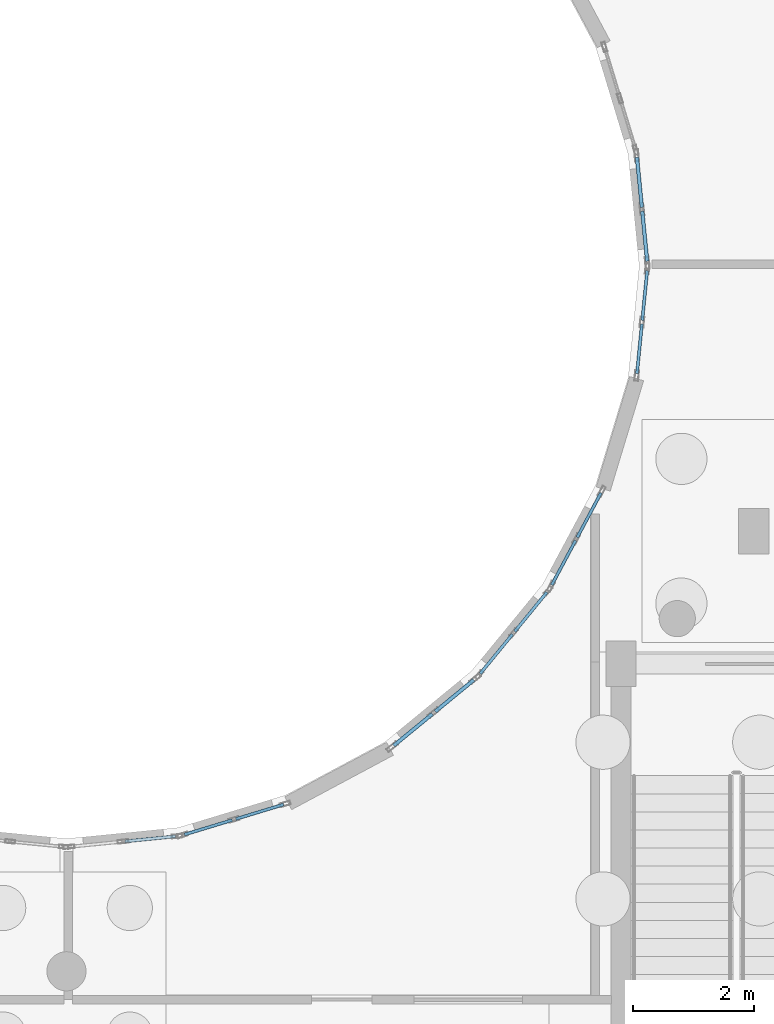
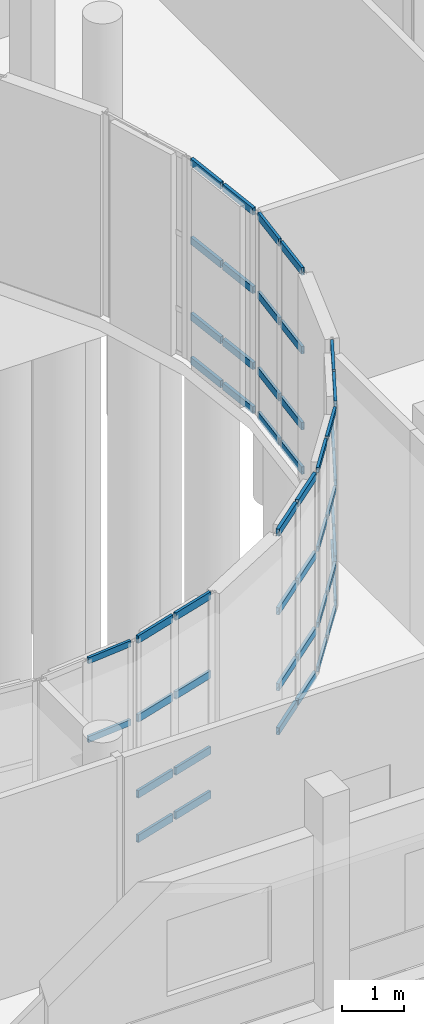
# One storey, part 43 of 93: 50 members, 7 elements without a shape of their own.
"""IFC4 building model written with IfcOpenShell, lengths in metres."""

from ifc_helpers import new_model, si_unit, direction, frame, origin, origin_2d, place, context, subcontext, project, spatial, hollow_rectangle, extrude, material, layer, layer_set, material_profile, profile_set, type_object, element, aggregate, save


model = new_model("IFC4")

# Units and contexts
model_context = context("Model", 3, precision=1e-05, world=origin(), true_north=direction((0.0, 1.0)))
body_context = subcontext(model_context, "Body", "Model", "MODEL_VIEW")
ifc_project = project(units=[si_unit("LENGTHUNIT", "METRE"), si_unit("AREAUNIT", "SQUARE_METRE"), si_unit("VOLUMEUNIT", "CUBIC_METRE"), si_unit("PLANEANGLEUNIT", "RADIAN"), si_unit("MASSUNIT", "GRAM", prefix="KILO")], contexts=[model_context])

# Site, building, storey
site_placement = place(None, origin())
site = spatial("IfcSite", under=ifc_project, at=site_placement, CompositionType="ELEMENT")
building_placement = place(site_placement, origin())
building = spatial("IfcBuilding", under=site, at=building_placement, Name="Kelanivale Promenade Academy", CompositionType="ELEMENT")
storey_placement = place(building_placement, origin())
storey = spatial("IfcBuildingStorey", under=building, at=storey_placement, Name="L00", CompositionType="ELEMENT", Elevation=0.0)

# Curtain wall, members
ifc_material_1 = material(Name="Bronze anodised aluminium and solar-control low-E glass", Category="aluminium")
ifc_layer_1 = layer(ifc_material_1, 0.159912109375)
ifc_layer_set_1 = layer_set([ifc_layer_1], Name="Bronze anodised aluminium and solar-control low-E glass")
curtain_wall_type_1 = type_object("IfcCurtainWallType", Name="CW-21 Curtain Wall 1650mm Module", PredefinedType="USERDEFINED", material=ifc_layer_set_1)
curtain_wall_1_placement = place(storey_placement, origin())
curtain_wall_1 = element("IfcCurtainWall", 1, at=curtain_wall_1_placement, inside=storey, type_object=curtain_wall_type_1, Name="L00 courtyard curtain wall CW-21", ObjectType="COURTYARD SCREEN GLAZING", PredefinedType="USERDEFINED")
ifc_material_2 = material(Name="Bronze anodised aluminium EN AW-6063 T6", Category="aluminium")
ifc_material_profile_1 = material_profile(ifc_material_2, hollow_rectangle(XDim=0.050048828125, YDim=0.10009765625, WallThickness=0.0029296875, at=origin_2d()), Name="ALU 50x100x3.0")
ifc_profile_set_1 = profile_set([ifc_material_profile_1], Name="Bronze anodised aluminium EN AW-6063 T6")
member_type_1 = type_object("IfcMemberType", Name="CWT-01 ALU 50x100x3.0", PredefinedType="USERDEFINED", material=ifc_profile_set_1)
member_1_placement = place(storey_placement, frame((105.6640625, 50.039306640625, 0.02490234375), z_axis=(0.634169827677, 0.773193785324, 0.0), x_axis=(-0.773193785324, 0.634169827677, 0.0)))
member_1 = element("IfcMember", 2, at=member_1_placement, type_object=member_type_1, Name="CW-21 transom 1.1", ObjectType="TRANSOM", PredefinedType="USERDEFINED", context=body_context, shape_type="SweptSolid", body=[
    extrude(hollow_rectangle(XDim=0.050048828125, YDim=0.10009765625, WallThickness=0.0029296875, at=origin_2d()), origin(), (0.0, 0.0, 1.0), 0.841064453125),
])
member_2_placement = place(storey_placement, frame((105.6640625, 50.039306640625, 0.89990234375), z_axis=(0.634169827677, 0.773193785324, 0.0), x_axis=(-0.773193785324, 0.634169827677, 0.0)))
member_2 = element("IfcMember", 3, at=member_2_placement, type_object=member_type_1, Name="CW-21 transom 1.2", ObjectType="TRANSOM", PredefinedType="USERDEFINED", context=body_context, shape_type="SweptSolid", body=[
    extrude(hollow_rectangle(XDim=0.050048828125, YDim=0.10009765625, WallThickness=0.0029296875, at=origin_2d()), origin(), (0.0, 0.0, 1.0), 0.841064453125),
])
member_3_placement = place(storey_placement, frame((105.6640625, 50.039306640625, 2.39990234375), z_axis=(0.634169827677, 0.773193785324, 0.0), x_axis=(-0.773193785324, 0.634169827677, 0.0)))
member_3 = element("IfcMember", 4, at=member_3_placement, type_object=member_type_1, Name="CW-21 transom 1.3", ObjectType="TRANSOM", PredefinedType="USERDEFINED", context=body_context, shape_type="SweptSolid", body=[
    extrude(hollow_rectangle(XDim=0.050048828125, YDim=0.10009765625, WallThickness=0.0029296875, at=origin_2d()), origin(), (0.0, 0.0, 1.0), 0.841064453125),
])
member_4_placement = place(storey_placement, frame((105.6640625, 50.039306640625, 3.955078125), z_axis=(0.634169827677, 0.773193785324, 0.0), x_axis=(-0.773193785324, 0.634169827677, 0.0)))
member_4 = element("IfcMember", 5, at=member_4_placement, type_object=member_type_1, Name="CW-21 transom 1.4", ObjectType="TRANSOM", PredefinedType="USERDEFINED", context=body_context, shape_type="SweptSolid", body=[
    extrude(hollow_rectangle(XDim=0.050048828125, YDim=0.10009765625, WallThickness=0.0029296875, at=origin_2d()), origin(), (0.0, 0.0, 1.0), 0.841064453125),
])
member_5_placement = place(storey_placement, frame((106.235595703125, 50.736083984375, 0.02490234375), z_axis=(0.634027534728, 0.773310471419, 0.0), x_axis=(-0.773310471419, 0.634027534728, 0.0)))
member_5 = element("IfcMember", 6, at=member_5_placement, type_object=member_type_1, Name="CW-21 transom 2.1", ObjectType="TRANSOM", PredefinedType="USERDEFINED", context=body_context, shape_type="SweptSolid", body=[
    extrude(hollow_rectangle(XDim=0.050048828125, YDim=0.10009765625, WallThickness=0.0029296875, at=origin_2d()), origin(), (0.0, 0.0, 1.0), 0.84130859375),
])
member_6_placement = place(storey_placement, frame((106.235595703125, 50.736083984375, 0.89990234375), z_axis=(0.634027534728, 0.773310471419, 0.0), x_axis=(-0.773310471419, 0.634027534728, 0.0)))
member_6 = element("IfcMember", 7, at=member_6_placement, type_object=member_type_1, Name="CW-21 transom 2.2", ObjectType="TRANSOM", PredefinedType="USERDEFINED", context=body_context, shape_type="SweptSolid", body=[
    extrude(hollow_rectangle(XDim=0.050048828125, YDim=0.10009765625, WallThickness=0.0029296875, at=origin_2d()), origin(), (0.0, 0.0, 1.0), 0.84130859375),
])
member_7_placement = place(storey_placement, frame((106.235595703125, 50.736083984375, 2.39990234375), z_axis=(0.634027534728, 0.773310471419, 0.0), x_axis=(-0.773310471419, 0.634027534728, 0.0)))
member_7 = element("IfcMember", 8, at=member_7_placement, type_object=member_type_1, Name="CW-21 transom 2.3", ObjectType="TRANSOM", PredefinedType="USERDEFINED", context=body_context, shape_type="SweptSolid", body=[
    extrude(hollow_rectangle(XDim=0.050048828125, YDim=0.10009765625, WallThickness=0.0029296875, at=origin_2d()), origin(), (0.0, 0.0, 1.0), 0.84130859375),
])
member_8_placement = place(storey_placement, frame((106.235595703125, 50.736083984375, 3.955078125), z_axis=(0.634027534728, 0.773310471419, 0.0), x_axis=(-0.773310471419, 0.634027534728, 0.0)))
member_8 = element("IfcMember", 9, at=member_8_placement, type_object=member_type_1, Name="CW-21 transom 2.4", ObjectType="TRANSOM", PredefinedType="USERDEFINED", context=body_context, shape_type="SweptSolid", body=[
    extrude(hollow_rectangle(XDim=0.050048828125, YDim=0.10009765625, WallThickness=0.0029296875, at=origin_2d()), origin(), (0.0, 0.0, 1.0), 0.84130859375),
])
aggregate(curtain_wall_1, [member_1, member_2, member_3, member_4, member_5, member_6, member_7, member_8])

ifc_layer_2 = layer(ifc_material_1, 0.159912109375)
ifc_layer_set_2 = layer_set([ifc_layer_2], Name="Bronze anodised aluminium and solar-control low-E glass")
curtain_wall_type_2 = type_object("IfcCurtainWallType", Name="CW-18 Curtain Wall 1200mm Module", PredefinedType="USERDEFINED", material=ifc_layer_set_2)
curtain_wall_2_placement = place(storey_placement, origin())
curtain_wall_2 = element("IfcCurtainWall", 10, at=curtain_wall_2_placement, inside=storey, type_object=curtain_wall_type_2, Name="L00 courtyard curtain wall CW-18", ObjectType="COURTYARD SCREEN GLAZING", PredefinedType="USERDEFINED")
ifc_material_profile_2 = material_profile(ifc_material_2, hollow_rectangle(XDim=0.050048828125, YDim=0.1201171875, WallThickness=0.0029296875, at=origin_2d()), Name="ALU 50x120x3.0")
ifc_profile_set_2 = profile_set([ifc_material_profile_2], Name="Bronze anodised aluminium EN AW-6063 T6")
member_type_2 = type_object("IfcMemberType", Name="CWT-02 ALU 50x120x3.0", PredefinedType="USERDEFINED", material=ifc_profile_set_2)
member_9_placement = place(storey_placement, frame((99.770263671875, 47.25537109375, 2.39990234375), z_axis=(0.995145812266, 0.098411444095, 0.0), x_axis=(-0.098411444095, 0.995145812266, 0.0)))
member_9 = element("IfcMember", 11, at=member_9_placement, type_object=member_type_2, Name="CW-18 transom 2.3", ObjectType="TRANSOM", PredefinedType="USERDEFINED", context=body_context, shape_type="SweptSolid", body=[
    extrude(hollow_rectangle(XDim=0.050048828125, YDim=0.1201171875, WallThickness=0.0029296875, at=origin_2d()), origin(), (0.0, 0.0, 1.0), 0.841064453125),
])
member_10_placement = place(storey_placement, frame((99.770263671875, 47.25537109375, 3.955078125), z_axis=(0.995145812266, 0.098411444095, 0.0), x_axis=(-0.098411444095, 0.995145812266, 0.0)))
member_10 = element("IfcMember", 12, at=member_10_placement, type_object=member_type_2, Name="CW-18 transom 2.4", ObjectType="TRANSOM", PredefinedType="USERDEFINED", context=body_context, shape_type="SweptSolid", body=[
    extrude(hollow_rectangle(XDim=0.050048828125, YDim=0.1201171875, WallThickness=0.0029296875, at=origin_2d()), origin(), (0.0, 0.0, 1.0), 0.841064453125),
])
aggregate(curtain_wall_2, [member_9, member_10])

ifc_layer_3 = layer(ifc_material_1, 0.169921875)
ifc_layer_set_3 = layer_set([ifc_layer_3], Name="Bronze anodised aluminium and solar-control low-E glass")
curtain_wall_type_3 = type_object("IfcCurtainWallType", Name="CW-22 Curtain Wall 1800mm Module", PredefinedType="USERDEFINED", material=ifc_layer_set_3)
curtain_wall_3_placement = place(storey_placement, origin())
curtain_wall_3 = element("IfcCurtainWall", 13, at=curtain_wall_3_placement, inside=storey, type_object=curtain_wall_type_3, Name="L00 courtyard curtain wall CW-22", ObjectType="COURTYARD SCREEN GLAZING", PredefinedType="USERDEFINED")
member_11_placement = place(storey_placement, frame((106.850341796875, 51.509033203125, 0.02490234375), z_axis=(0.471286980873, 0.881979921347, 0.0), x_axis=(-0.881979921347, 0.471286980873, 0.0)))
member_11 = element("IfcMember", 14, at=member_11_placement, type_object=member_type_2, Name="CW-22 transom 1.1", ObjectType="TRANSOM", PredefinedType="USERDEFINED", context=body_context, shape_type="SweptSolid", body=[
    extrude(hollow_rectangle(XDim=0.050048828125, YDim=0.1201171875, WallThickness=0.0029296875, at=origin_2d()), origin(), (0.0, 0.0, 1.0), 0.833984375),
])
member_12_placement = place(storey_placement, frame((106.850341796875, 51.509033203125, 0.89990234375), z_axis=(0.471286980873, 0.881979921347, 0.0), x_axis=(-0.881979921347, 0.471286980873, 0.0)))
member_12 = element("IfcMember", 15, at=member_12_placement, type_object=member_type_2, Name="CW-22 transom 1.2", ObjectType="TRANSOM", PredefinedType="USERDEFINED", context=body_context, shape_type="SweptSolid", body=[
    extrude(hollow_rectangle(XDim=0.050048828125, YDim=0.1201171875, WallThickness=0.0029296875, at=origin_2d()), origin(), (0.0, 0.0, 1.0), 0.833984375),
])
member_13_placement = place(storey_placement, frame((106.850341796875, 51.509033203125, 2.39990234375), z_axis=(0.471286980873, 0.881979921347, 0.0), x_axis=(-0.881979921347, 0.471286980873, 0.0)))
member_13 = element("IfcMember", 16, at=member_13_placement, type_object=member_type_2, Name="CW-22 transom 1.3", ObjectType="TRANSOM", PredefinedType="USERDEFINED", context=body_context, shape_type="SweptSolid", body=[
    extrude(hollow_rectangle(XDim=0.050048828125, YDim=0.1201171875, WallThickness=0.0029296875, at=origin_2d()), origin(), (0.0, 0.0, 1.0), 0.833984375),
])
member_14_placement = place(storey_placement, frame((106.850341796875, 51.509033203125, 3.955078125), z_axis=(0.471286980873, 0.881979921347, 0.0), x_axis=(-0.881979921347, 0.471286980873, 0.0)))
member_14 = element("IfcMember", 17, at=member_14_placement, type_object=member_type_2, Name="CW-22 transom 1.4", ObjectType="TRANSOM", PredefinedType="USERDEFINED", context=body_context, shape_type="SweptSolid", body=[
    extrude(hollow_rectangle(XDim=0.050048828125, YDim=0.1201171875, WallThickness=0.0029296875, at=origin_2d()), origin(), (0.0, 0.0, 1.0), 0.833984375),
])
member_15_placement = place(storey_placement, frame((107.271728515625, 52.29736328125, 0.02490234375), z_axis=(0.471165332138, 0.882044913704, 0.0), x_axis=(-0.882044913704, 0.471165332138, 0.0)))
member_15 = element("IfcMember", 18, at=member_15_placement, type_object=member_type_2, Name="CW-22 transom 2.1", ObjectType="TRANSOM", PredefinedType="USERDEFINED", context=body_context, shape_type="SweptSolid", body=[
    extrude(hollow_rectangle(XDim=0.050048828125, YDim=0.1201171875, WallThickness=0.0029296875, at=origin_2d()), origin(), (0.0, 0.0, 1.0), 0.834228515625),
])
member_16_placement = place(storey_placement, frame((107.271728515625, 52.29736328125, 0.89990234375), z_axis=(0.471165332138, 0.882044913704, 0.0), x_axis=(-0.882044913704, 0.471165332138, 0.0)))
member_16 = element("IfcMember", 19, at=member_16_placement, type_object=member_type_2, Name="CW-22 transom 2.2", ObjectType="TRANSOM", PredefinedType="USERDEFINED", context=body_context, shape_type="SweptSolid", body=[
    extrude(hollow_rectangle(XDim=0.050048828125, YDim=0.1201171875, WallThickness=0.0029296875, at=origin_2d()), origin(), (0.0, 0.0, 1.0), 0.834228515625),
])
member_17_placement = place(storey_placement, frame((107.271728515625, 52.29736328125, 2.39990234375), z_axis=(0.471165332138, 0.882044913704, 0.0), x_axis=(-0.882044913704, 0.471165332138, 0.0)))
member_17 = element("IfcMember", 20, at=member_17_placement, type_object=member_type_2, Name="CW-22 transom 2.3", ObjectType="TRANSOM", PredefinedType="USERDEFINED", context=body_context, shape_type="SweptSolid", body=[
    extrude(hollow_rectangle(XDim=0.050048828125, YDim=0.1201171875, WallThickness=0.0029296875, at=origin_2d()), origin(), (0.0, 0.0, 1.0), 0.834228515625),
])
member_18_placement = place(storey_placement, frame((107.271728515625, 52.29736328125, 3.955078125), z_axis=(0.471165332138, 0.882044913704, 0.0), x_axis=(-0.882044913704, 0.471165332138, 0.0)))
member_18 = element("IfcMember", 21, at=member_18_placement, type_object=member_type_2, Name="CW-22 transom 2.4", ObjectType="TRANSOM", PredefinedType="USERDEFINED", context=body_context, shape_type="SweptSolid", body=[
    extrude(hollow_rectangle(XDim=0.050048828125, YDim=0.1201171875, WallThickness=0.0029296875, at=origin_2d()), origin(), (0.0, 0.0, 1.0), 0.834228515625),
])
aggregate(curtain_wall_3, [member_11, member_12, member_13, member_14, member_15, member_16, member_17, member_18])

ifc_layer_4 = layer(ifc_material_1, 0.169921875)
ifc_layer_set_4 = layer_set([ifc_layer_4], Name="Bronze anodised aluminium and solar-control low-E glass")
curtain_wall_type_4 = type_object("IfcCurtainWallType", Name="CW-19 Curtain Wall 1350mm Module", PredefinedType="USERDEFINED", material=ifc_layer_set_4)
curtain_wall_4_placement = place(storey_placement, origin())
curtain_wall_4 = element("IfcCurtainWall", 22, at=curtain_wall_4_placement, inside=storey, type_object=curtain_wall_type_4, Name="L00 courtyard curtain wall CW-19", ObjectType="COURTYARD SCREEN GLAZING", PredefinedType="USERDEFINED")
ifc_material_profile_3 = material_profile(ifc_material_2, hollow_rectangle(XDim=0.050048828125, YDim=0.14990234375, WallThickness=0.00341796875, at=origin_2d()), Name="ALU 50x150x3.5")
ifc_profile_set_3 = profile_set([ifc_material_profile_3], Name="Bronze anodised aluminium EN AW-6063 T6")
member_type_3 = type_object("IfcMemberType", Name="CWT-03 ALU 50x150x3.5", PredefinedType="USERDEFINED", material=ifc_profile_set_3)
member_19_placement = place(storey_placement, frame((100.756103515625, 47.367919921875, 0.02490234375), z_axis=(0.956984636742, 0.290138596258, 0.0), x_axis=(-0.290138596258, 0.956984636742, 0.0)))
member_19 = element("IfcMember", 23, at=member_19_placement, type_object=member_type_3, Name="CW-19 transom 1.1", ObjectType="TRANSOM", PredefinedType="USERDEFINED", context=body_context, shape_type="SweptSolid", body=[
    extrude(hollow_rectangle(XDim=0.050048828125, YDim=0.14990234375, WallThickness=0.00341796875, at=origin_2d()), origin(), (0.0, 0.0, 1.0), 0.826416015625),
])
member_20_placement = place(storey_placement, frame((100.756103515625, 47.367919921875, 0.89990234375), z_axis=(0.956984636742, 0.290138596258, 0.0), x_axis=(-0.290138596258, 0.956984636742, 0.0)))
member_20 = element("IfcMember", 24, at=member_20_placement, type_object=member_type_3, Name="CW-19 transom 1.2", ObjectType="TRANSOM", PredefinedType="USERDEFINED", context=body_context, shape_type="SweptSolid", body=[
    extrude(hollow_rectangle(XDim=0.050048828125, YDim=0.14990234375, WallThickness=0.00341796875, at=origin_2d()), origin(), (0.0, 0.0, 1.0), 0.826416015625),
])
member_21_placement = place(storey_placement, frame((100.756103515625, 47.367919921875, 2.39990234375), z_axis=(0.956984636742, 0.290138596258, 0.0), x_axis=(-0.290138596258, 0.956984636742, 0.0)))
member_21 = element("IfcMember", 25, at=member_21_placement, type_object=member_type_3, Name="CW-19 transom 1.3", ObjectType="TRANSOM", PredefinedType="USERDEFINED", context=body_context, shape_type="SweptSolid", body=[
    extrude(hollow_rectangle(XDim=0.050048828125, YDim=0.14990234375, WallThickness=0.00341796875, at=origin_2d()), origin(), (0.0, 0.0, 1.0), 0.826416015625),
])
member_22_placement = place(storey_placement, frame((100.756103515625, 47.367919921875, 3.955078125), z_axis=(0.956984636742, 0.290138596258, 0.0), x_axis=(-0.290138596258, 0.956984636742, 0.0)))
member_22 = element("IfcMember", 26, at=member_22_placement, type_object=member_type_3, Name="CW-19 transom 1.4", ObjectType="TRANSOM", PredefinedType="USERDEFINED", context=body_context, shape_type="SweptSolid", body=[
    extrude(hollow_rectangle(XDim=0.050048828125, YDim=0.14990234375, WallThickness=0.00341796875, at=origin_2d()), origin(), (0.0, 0.0, 1.0), 0.826416015625),
])
member_23_placement = place(storey_placement, frame((101.609130859375, 47.62646484375, 0.02490234375), z_axis=(0.956984636742, 0.290138596258, 0.0), x_axis=(-0.290138596258, 0.956984636742, 0.0)))
member_23 = element("IfcMember", 27, at=member_23_placement, type_object=member_type_3, Name="CW-19 transom 2.1", ObjectType="TRANSOM", PredefinedType="USERDEFINED", context=body_context, shape_type="SweptSolid", body=[
    extrude(hollow_rectangle(XDim=0.050048828125, YDim=0.14990234375, WallThickness=0.00341796875, at=origin_2d()), origin(), (0.0, 0.0, 1.0), 0.826416015625),
])
member_24_placement = place(storey_placement, frame((101.609130859375, 47.62646484375, 0.89990234375), z_axis=(0.956984636742, 0.290138596258, 0.0), x_axis=(-0.290138596258, 0.956984636742, 0.0)))
member_24 = element("IfcMember", 28, at=member_24_placement, type_object=member_type_3, Name="CW-19 transom 2.2", ObjectType="TRANSOM", PredefinedType="USERDEFINED", context=body_context, shape_type="SweptSolid", body=[
    extrude(hollow_rectangle(XDim=0.050048828125, YDim=0.14990234375, WallThickness=0.00341796875, at=origin_2d()), origin(), (0.0, 0.0, 1.0), 0.826416015625),
])
member_25_placement = place(storey_placement, frame((101.609130859375, 47.62646484375, 2.39990234375), z_axis=(0.956984636742, 0.290138596258, 0.0), x_axis=(-0.290138596258, 0.956984636742, 0.0)))
member_25 = element("IfcMember", 29, at=member_25_placement, type_object=member_type_3, Name="CW-19 transom 2.3", ObjectType="TRANSOM", PredefinedType="USERDEFINED", context=body_context, shape_type="SweptSolid", body=[
    extrude(hollow_rectangle(XDim=0.050048828125, YDim=0.14990234375, WallThickness=0.00341796875, at=origin_2d()), origin(), (0.0, 0.0, 1.0), 0.826416015625),
])
member_26_placement = place(storey_placement, frame((101.609130859375, 47.62646484375, 3.955078125), z_axis=(0.956984636742, 0.290138596258, 0.0), x_axis=(-0.290138596258, 0.956984636742, 0.0)))
member_26 = element("IfcMember", 30, at=member_26_placement, type_object=member_type_3, Name="CW-19 transom 2.4", ObjectType="TRANSOM", PredefinedType="USERDEFINED", context=body_context, shape_type="SweptSolid", body=[
    extrude(hollow_rectangle(XDim=0.050048828125, YDim=0.14990234375, WallThickness=0.00341796875, at=origin_2d()), origin(), (0.0, 0.0, 1.0), 0.826416015625),
])
aggregate(curtain_wall_4, [member_19, member_20, member_21, member_22, member_23, member_24, member_25, member_26])

ifc_layer_5 = layer(ifc_material_1, 0.179931640625)
ifc_layer_set_5 = layer_set([ifc_layer_5], Name="Bronze anodised aluminium and solar-control low-E glass")
curtain_wall_type_5 = type_object("IfcCurtainWallType", Name="CW-23 Curtain Wall 1950mm Module", PredefinedType="USERDEFINED", material=ifc_layer_set_5)
curtain_wall_5_placement = place(storey_placement, origin())
curtain_wall_5 = element("IfcCurtainWall", 31, at=curtain_wall_5_placement, inside=storey, type_object=curtain_wall_type_5, Name="L00 courtyard curtain wall CW-23", ObjectType="COURTYARD SCREEN GLAZING", PredefinedType="USERDEFINED")
member_27_placement = place(storey_placement, frame((108.263427734375, 55.0126953125, 0.02490234375), z_axis=(0.0984209217, 0.995144874966, 0.0), x_axis=(-0.995144874966, 0.0984209217, 0.0)))
member_27 = element("IfcMember", 32, at=member_27_placement, type_object=member_type_3, Name="CW-23 transom 1.1", ObjectType="TRANSOM", PredefinedType="USERDEFINED", context=body_context, shape_type="SweptSolid", body=[
    extrude(hollow_rectangle(XDim=0.050048828125, YDim=0.14990234375, WallThickness=0.00341796875, at=origin_2d()), origin(), (0.0, 0.0, 1.0), 0.825927734375),
])
member_28_placement = place(storey_placement, frame((108.263427734375, 55.0126953125, 0.89990234375), z_axis=(0.0984209217, 0.995144874966, 0.0), x_axis=(-0.995144874966, 0.0984209217, 0.0)))
member_28 = element("IfcMember", 33, at=member_28_placement, type_object=member_type_3, Name="CW-23 transom 1.2", ObjectType="TRANSOM", PredefinedType="USERDEFINED", context=body_context, shape_type="SweptSolid", body=[
    extrude(hollow_rectangle(XDim=0.050048828125, YDim=0.14990234375, WallThickness=0.00341796875, at=origin_2d()), origin(), (0.0, 0.0, 1.0), 0.825927734375),
])
member_29_placement = place(storey_placement, frame((108.263427734375, 55.0126953125, 2.39990234375), z_axis=(0.0984209217, 0.995144874966, 0.0), x_axis=(-0.995144874966, 0.0984209217, 0.0)))
member_29 = element("IfcMember", 34, at=member_29_placement, type_object=member_type_3, Name="CW-23 transom 1.3", ObjectType="TRANSOM", PredefinedType="USERDEFINED", context=body_context, shape_type="SweptSolid", body=[
    extrude(hollow_rectangle(XDim=0.050048828125, YDim=0.14990234375, WallThickness=0.00341796875, at=origin_2d()), origin(), (0.0, 0.0, 1.0), 0.825927734375),
])
member_30_placement = place(storey_placement, frame((108.263427734375, 55.0126953125, 3.955078125), z_axis=(0.0984209217, 0.995144874966, 0.0), x_axis=(-0.995144874966, 0.0984209217, 0.0)))
member_30 = element("IfcMember", 35, at=member_30_placement, type_object=member_type_3, Name="CW-23 transom 1.4", ObjectType="TRANSOM", PredefinedType="USERDEFINED", context=body_context, shape_type="SweptSolid", body=[
    extrude(hollow_rectangle(XDim=0.050048828125, YDim=0.14990234375, WallThickness=0.00341796875, at=origin_2d()), origin(), (0.0, 0.0, 1.0), 0.825927734375),
])
member_31_placement = place(storey_placement, frame((108.351318359375, 55.8994140625, 0.02490234375), z_axis=(0.0984209217, 0.995144874966, 0.0), x_axis=(-0.995144874966, 0.0984209217, 0.0)))
member_31 = element("IfcMember", 36, at=member_31_placement, type_object=member_type_3, Name="CW-23 transom 2.1", ObjectType="TRANSOM", PredefinedType="USERDEFINED", context=body_context, shape_type="SweptSolid", body=[
    extrude(hollow_rectangle(XDim=0.050048828125, YDim=0.14990234375, WallThickness=0.00341796875, at=origin_2d()), origin(), (0.0, 0.0, 1.0), 0.825927734375),
])
member_32_placement = place(storey_placement, frame((108.351318359375, 55.8994140625, 0.89990234375), z_axis=(0.0984209217, 0.995144874966, 0.0), x_axis=(-0.995144874966, 0.0984209217, 0.0)))
member_32 = element("IfcMember", 37, at=member_32_placement, type_object=member_type_3, Name="CW-23 transom 2.2", ObjectType="TRANSOM", PredefinedType="USERDEFINED", context=body_context, shape_type="SweptSolid", body=[
    extrude(hollow_rectangle(XDim=0.050048828125, YDim=0.14990234375, WallThickness=0.00341796875, at=origin_2d()), origin(), (0.0, 0.0, 1.0), 0.825927734375),
])
member_33_placement = place(storey_placement, frame((108.351318359375, 55.8994140625, 2.39990234375), z_axis=(0.0984209217, 0.995144874966, 0.0), x_axis=(-0.995144874966, 0.0984209217, 0.0)))
member_33 = element("IfcMember", 38, at=member_33_placement, type_object=member_type_3, Name="CW-23 transom 2.3", ObjectType="TRANSOM", PredefinedType="USERDEFINED", context=body_context, shape_type="SweptSolid", body=[
    extrude(hollow_rectangle(XDim=0.050048828125, YDim=0.14990234375, WallThickness=0.00341796875, at=origin_2d()), origin(), (0.0, 0.0, 1.0), 0.825927734375),
])
member_34_placement = place(storey_placement, frame((108.351318359375, 55.8994140625, 3.955078125), z_axis=(0.0984209217, 0.995144874966, 0.0), x_axis=(-0.995144874966, 0.0984209217, 0.0)))
member_34 = element("IfcMember", 39, at=member_34_placement, type_object=member_type_3, Name="CW-23 transom 2.4", ObjectType="TRANSOM", PredefinedType="USERDEFINED", context=body_context, shape_type="SweptSolid", body=[
    extrude(hollow_rectangle(XDim=0.050048828125, YDim=0.14990234375, WallThickness=0.00341796875, at=origin_2d()), origin(), (0.0, 0.0, 1.0), 0.825927734375),
])
aggregate(curtain_wall_5, [member_27, member_28, member_29, member_30, member_31, member_32, member_33, member_34])

ifc_layer_6 = layer(ifc_material_1, 0.179931640625)
ifc_layer_set_6 = layer_set([ifc_layer_6], Name="Bronze anodised aluminium and solar-control low-E glass")
curtain_wall_type_6 = type_object("IfcCurtainWallType", Name="CW-20 Curtain Wall 1500mm Module", PredefinedType="USERDEFINED", material=ifc_layer_set_6)
curtain_wall_6_placement = place(storey_placement, origin())
curtain_wall_6 = element("IfcCurtainWall", 40, at=curtain_wall_6_placement, inside=storey, type_object=curtain_wall_type_6, Name="L00 courtyard curtain wall CW-20", ObjectType="COURTYARD SCREEN GLAZING", PredefinedType="USERDEFINED")
ifc_material_profile_4 = material_profile(ifc_material_2, hollow_rectangle(XDim=0.06005859375, YDim=0.139892578125, WallThickness=0.00341796875, at=origin_2d()), Name="ALU 60x140x3.5")
ifc_profile_set_4 = profile_set([ifc_material_profile_4], Name="Bronze anodised aluminium EN AW-6063 T6")
member_type_4 = type_object("IfcMemberType", Name="CWT-04 ALU 60x140x3.5", PredefinedType="USERDEFINED", material=ifc_profile_set_4)
member_35_placement = place(storey_placement, frame((104.229248046875, 48.84423828125, 0.030029296875), z_axis=(0.7732851825, 0.634058377853, 0.0), x_axis=(-0.634058377853, 0.7732851825, 0.0)))
member_35 = element("IfcMember", 41, at=member_35_placement, type_object=member_type_4, Name="CW-20 transom 1.1", ObjectType="TRANSOM", PredefinedType="USERDEFINED", context=body_context, shape_type="SweptSolid", body=[
    extrude(hollow_rectangle(XDim=0.06005859375, YDim=0.139892578125, WallThickness=0.00341796875, at=origin_2d()), origin(), (0.0, 0.0, 1.0), 0.825927734375),
])
member_36_placement = place(storey_placement, frame((104.229248046875, 48.84423828125, 0.89990234375), z_axis=(0.7732851825, 0.634058377853, 0.0), x_axis=(-0.634058377853, 0.7732851825, 0.0)))
member_36 = element("IfcMember", 42, at=member_36_placement, type_object=member_type_4, Name="CW-20 transom 1.2", ObjectType="TRANSOM", PredefinedType="USERDEFINED", context=body_context, shape_type="SweptSolid", body=[
    extrude(hollow_rectangle(XDim=0.06005859375, YDim=0.139892578125, WallThickness=0.00341796875, at=origin_2d()), origin(), (0.0, 0.0, 1.0), 0.825927734375),
])
member_37_placement = place(storey_placement, frame((104.229248046875, 48.84423828125, 2.39990234375), z_axis=(0.7732851825, 0.634058377853, 0.0), x_axis=(-0.634058377853, 0.7732851825, 0.0)))
member_37 = element("IfcMember", 43, at=member_37_placement, type_object=member_type_4, Name="CW-20 transom 1.3", ObjectType="TRANSOM", PredefinedType="USERDEFINED", context=body_context, shape_type="SweptSolid", body=[
    extrude(hollow_rectangle(XDim=0.06005859375, YDim=0.139892578125, WallThickness=0.00341796875, at=origin_2d()), origin(), (0.0, 0.0, 1.0), 0.825927734375),
])
member_38_placement = place(storey_placement, frame((104.229248046875, 48.84423828125, 3.949951171875), z_axis=(0.7732851825, 0.634058377853, 0.0), x_axis=(-0.634058377853, 0.7732851825, 0.0)))
member_38 = element("IfcMember", 44, at=member_38_placement, type_object=member_type_4, Name="CW-20 transom 1.4", ObjectType="TRANSOM", PredefinedType="USERDEFINED", context=body_context, shape_type="SweptSolid", body=[
    extrude(hollow_rectangle(XDim=0.06005859375, YDim=0.139892578125, WallThickness=0.00341796875, at=origin_2d()), origin(), (0.0, 0.0, 1.0), 0.825927734375),
])
member_39_placement = place(storey_placement, frame((104.918212890625, 49.4091796875, 0.030029296875), z_axis=(0.773166302346, 0.634203334047, 0.0), x_axis=(-0.634203334047, 0.773166302346, 0.0)))
member_39 = element("IfcMember", 45, at=member_39_placement, type_object=member_type_4, Name="CW-20 transom 2.1", ObjectType="TRANSOM", PredefinedType="USERDEFINED", context=body_context, shape_type="SweptSolid", body=[
    extrude(hollow_rectangle(XDim=0.06005859375, YDim=0.139892578125, WallThickness=0.00341796875, at=origin_2d()), origin(), (0.0, 0.0, 1.0), 0.82568359375),
])
member_40_placement = place(storey_placement, frame((104.918212890625, 49.4091796875, 0.89990234375), z_axis=(0.773166302346, 0.634203334047, 0.0), x_axis=(-0.634203334047, 0.773166302346, 0.0)))
member_40 = element("IfcMember", 46, at=member_40_placement, type_object=member_type_4, Name="CW-20 transom 2.2", ObjectType="TRANSOM", PredefinedType="USERDEFINED", context=body_context, shape_type="SweptSolid", body=[
    extrude(hollow_rectangle(XDim=0.06005859375, YDim=0.139892578125, WallThickness=0.00341796875, at=origin_2d()), origin(), (0.0, 0.0, 1.0), 0.82568359375),
])
member_41_placement = place(storey_placement, frame((104.918212890625, 49.4091796875, 2.39990234375), z_axis=(0.773166302346, 0.634203334047, 0.0), x_axis=(-0.634203334047, 0.773166302346, 0.0)))
member_41 = element("IfcMember", 47, at=member_41_placement, type_object=member_type_4, Name="CW-20 transom 2.3", ObjectType="TRANSOM", PredefinedType="USERDEFINED", context=body_context, shape_type="SweptSolid", body=[
    extrude(hollow_rectangle(XDim=0.06005859375, YDim=0.139892578125, WallThickness=0.00341796875, at=origin_2d()), origin(), (0.0, 0.0, 1.0), 0.82568359375),
])
member_42_placement = place(storey_placement, frame((104.918212890625, 49.4091796875, 3.949951171875), z_axis=(0.773166302346, 0.634203334047, 0.0), x_axis=(-0.634203334047, 0.773166302346, 0.0)))
member_42 = element("IfcMember", 48, at=member_42_placement, type_object=member_type_4, Name="CW-20 transom 2.4", ObjectType="TRANSOM", PredefinedType="USERDEFINED", context=body_context, shape_type="SweptSolid", body=[
    extrude(hollow_rectangle(XDim=0.06005859375, YDim=0.139892578125, WallThickness=0.00341796875, at=origin_2d()), origin(), (0.0, 0.0, 1.0), 0.82568359375),
])
aggregate(curtain_wall_6, [member_35, member_36, member_37, member_38, member_39, member_40, member_41, member_42])

ifc_layer_7 = layer(ifc_material_1, 0.159912109375)
ifc_layer_set_7 = layer_set([ifc_layer_7], Name="Bronze anodised aluminium and solar-control low-E glass")
curtain_wall_type_7 = type_object("IfcCurtainWallType", Name="CW-24 Curtain Wall 1200mm Module", PredefinedType="USERDEFINED", material=ifc_layer_set_7)
curtain_wall_7_placement = place(storey_placement, origin())
curtain_wall_7 = element("IfcCurtainWall", 49, at=curtain_wall_7_placement, inside=storey, type_object=curtain_wall_type_7, Name="L00 courtyard curtain wall CW-24", ObjectType="COURTYARD SCREEN GLAZING", PredefinedType="USERDEFINED")
member_43_placement = place(storey_placement, frame((108.4326171875, 56.878662109375, 0.030029296875), z_axis=(-0.098401799113, 0.995146766026, 0.0), x_axis=(-0.995146766026, -0.098401799113, 0.0)))
member_43 = element("IfcMember", 50, at=member_43_placement, type_object=member_type_4, Name="CW-24 transom 1.1", ObjectType="TRANSOM", PredefinedType="USERDEFINED", context=body_context, shape_type="SweptSolid", body=[
    extrude(hollow_rectangle(XDim=0.06005859375, YDim=0.139892578125, WallThickness=0.00341796875, at=origin_2d()), origin(), (0.0, 0.0, 1.0), 0.833740234375),
])
member_44_placement = place(storey_placement, frame((108.4326171875, 56.878662109375, 0.89990234375), z_axis=(-0.098401799113, 0.995146766026, 0.0), x_axis=(-0.995146766026, -0.098401799113, 0.0)))
member_44 = element("IfcMember", 51, at=member_44_placement, type_object=member_type_4, Name="CW-24 transom 1.2", ObjectType="TRANSOM", PredefinedType="USERDEFINED", context=body_context, shape_type="SweptSolid", body=[
    extrude(hollow_rectangle(XDim=0.06005859375, YDim=0.139892578125, WallThickness=0.00341796875, at=origin_2d()), origin(), (0.0, 0.0, 1.0), 0.833740234375),
])
member_45_placement = place(storey_placement, frame((108.4326171875, 56.878662109375, 2.39990234375), z_axis=(-0.098401799113, 0.995146766026, 0.0), x_axis=(-0.995146766026, -0.098401799113, 0.0)))
member_45 = element("IfcMember", 52, at=member_45_placement, type_object=member_type_4, Name="CW-24 transom 1.3", ObjectType="TRANSOM", PredefinedType="USERDEFINED", context=body_context, shape_type="SweptSolid", body=[
    extrude(hollow_rectangle(XDim=0.06005859375, YDim=0.139892578125, WallThickness=0.00341796875, at=origin_2d()), origin(), (0.0, 0.0, 1.0), 0.833740234375),
])
member_46_placement = place(storey_placement, frame((108.4326171875, 56.878662109375, 3.949951171875), z_axis=(-0.098401799113, 0.995146766026, 0.0), x_axis=(-0.995146766026, -0.098401799113, 0.0)))
member_46 = element("IfcMember", 53, at=member_46_placement, type_object=member_type_4, Name="CW-24 transom 1.4", ObjectType="TRANSOM", PredefinedType="USERDEFINED", context=body_context, shape_type="SweptSolid", body=[
    extrude(hollow_rectangle(XDim=0.06005859375, YDim=0.139892578125, WallThickness=0.00341796875, at=origin_2d()), origin(), (0.0, 0.0, 1.0), 0.833740234375),
])
member_47_placement = place(storey_placement, frame((108.34423828125, 57.77294921875, 0.030029296875), z_axis=(-0.0981403636, 0.995172582537, 0.0), x_axis=(-0.995172582537, -0.0981403636, 0.0)))
member_47 = element("IfcMember", 54, at=member_47_placement, type_object=member_type_4, Name="CW-24 transom 2.1", ObjectType="TRANSOM", PredefinedType="USERDEFINED", context=body_context, shape_type="SweptSolid", body=[
    extrude(hollow_rectangle(XDim=0.06005859375, YDim=0.139892578125, WallThickness=0.00341796875, at=origin_2d()), origin(), (0.0, 0.0, 1.0), 0.833251953125),
])
member_48_placement = place(storey_placement, frame((108.34423828125, 57.77294921875, 0.89990234375), z_axis=(-0.0981403636, 0.995172582537, 0.0), x_axis=(-0.995172582537, -0.0981403636, 0.0)))
member_48 = element("IfcMember", 55, at=member_48_placement, type_object=member_type_4, Name="CW-24 transom 2.2", ObjectType="TRANSOM", PredefinedType="USERDEFINED", context=body_context, shape_type="SweptSolid", body=[
    extrude(hollow_rectangle(XDim=0.06005859375, YDim=0.139892578125, WallThickness=0.00341796875, at=origin_2d()), origin(), (0.0, 0.0, 1.0), 0.833251953125),
])
member_49_placement = place(storey_placement, frame((108.34423828125, 57.77294921875, 2.39990234375), z_axis=(-0.0981403636, 0.995172582537, 0.0), x_axis=(-0.995172582537, -0.0981403636, 0.0)))
member_49 = element("IfcMember", 56, at=member_49_placement, type_object=member_type_4, Name="CW-24 transom 2.3", ObjectType="TRANSOM", PredefinedType="USERDEFINED", context=body_context, shape_type="SweptSolid", body=[
    extrude(hollow_rectangle(XDim=0.06005859375, YDim=0.139892578125, WallThickness=0.00341796875, at=origin_2d()), origin(), (0.0, 0.0, 1.0), 0.833251953125),
])
member_50_placement = place(storey_placement, frame((108.34423828125, 57.77294921875, 3.949951171875), z_axis=(-0.0981403636, 0.995172582537, 0.0), x_axis=(-0.995172582537, -0.0981403636, 0.0)))
member_50 = element("IfcMember", 57, at=member_50_placement, type_object=member_type_4, Name="CW-24 transom 2.4", ObjectType="TRANSOM", PredefinedType="USERDEFINED", context=body_context, shape_type="SweptSolid", body=[
    extrude(hollow_rectangle(XDim=0.06005859375, YDim=0.139892578125, WallThickness=0.00341796875, at=origin_2d()), origin(), (0.0, 0.0, 1.0), 0.833251953125),
])
aggregate(curtain_wall_7, [member_43, member_44, member_45, member_46, member_47, member_48, member_49, member_50])

save(model, "model.ifc")
